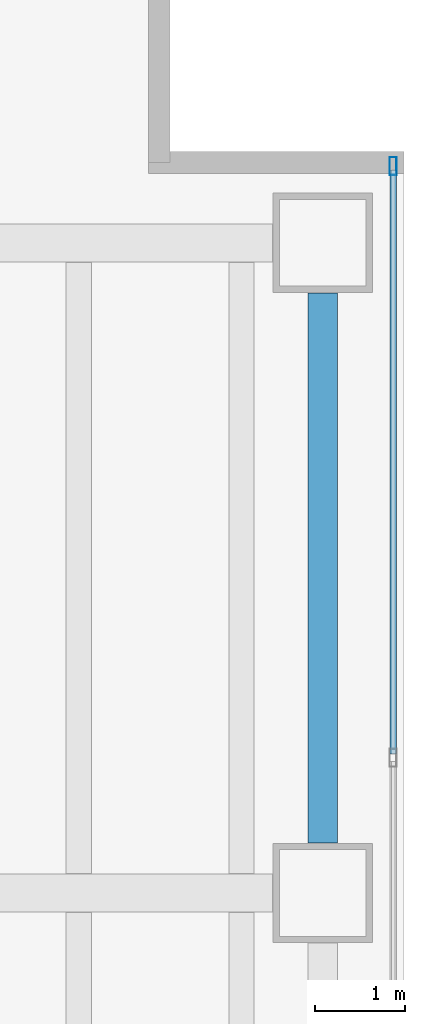
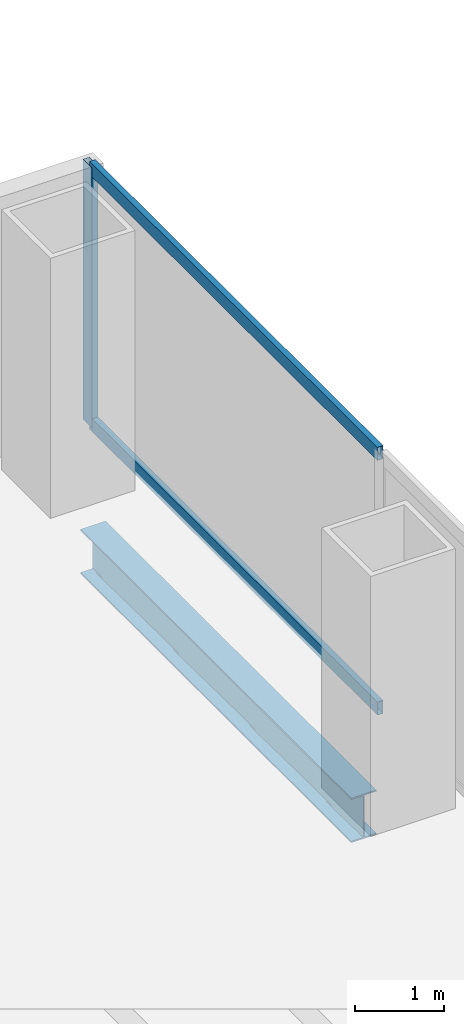
# One storey, part 13 of 23: 3 members, 1 beam, 1 element without a shape of its own.
"""IFC4 building model written with IfcOpenShell, lengths in metres."""

from ifc_helpers import new_model, si_unit, direction, frame, origin, origin_2d, place, context, subcontext, project, spatial, hollow_rectangle, i_section, extrude, material, material_profile, profile_set, type_object, element, aggregate, save


model = new_model("IFC4")

# Units and contexts
model_context = context("Model", 3, precision=1e-05, world=origin(), true_north=direction((0.0, 1.0)))
body_context = subcontext(model_context, "Body", "Model", "MODEL_VIEW")
ifc_project = project(units=[si_unit("LENGTHUNIT", "METRE"), si_unit("AREAUNIT", "SQUARE_METRE"), si_unit("VOLUMEUNIT", "CUBIC_METRE"), si_unit("PLANEANGLEUNIT", "RADIAN"), si_unit("MASSUNIT", "GRAM", prefix="KILO")], contexts=[model_context])

# Site, building, storey
site_placement = place(None, origin())
site = spatial("IfcSite", under=ifc_project, at=site_placement, CompositionType="ELEMENT")
building_placement = place(site_placement, origin())
building = spatial("IfcBuilding", under=site, at=building_placement, Name="Cobrela Telecom Tower", CompositionType="ELEMENT")
storey_placement = place(building_placement, frame((0.0, 0.0, 38.85009765625)))
storey = spatial("IfcBuildingStorey", under=building, at=storey_placement, Name="L09", CompositionType="ELEMENT", Elevation=38.85009765625)

# Beam
ifc_material_1 = material(Name="Steel ASTM A992 Grade 50", Category="steel")
ifc_material_profile_1 = material_profile(ifc_material_1, i_section(OverallWidth=0.324951171875, OverallDepth=0.612060546875, WebThickness=0.0126953125, FlangeThickness=0.01904296875, FilletRadius=0.014892578125, at=origin_2d()), Name="W24X104")
ifc_profile_set_1 = profile_set([ifc_material_profile_1], Name="Steel ASTM A992 Grade 50")
beam_type = type_object("IfcBeamType", Name="BM-SPAND-02", PredefinedType="SPANDREL", material=ifc_profile_set_1)
beam_placement = place(storey_placement, frame((49.5, 14.955078125, -0.586181640625), z_axis=(0.0, 1.0, 0.0), x_axis=(-1.0, 0.0, 0.0)))
element("IfcBeam", 1, at=beam_placement, inside=storey, type_object=beam_type, Name="L09 Perimeter Spandrel Y57", PredefinedType="SPANDREL", context=body_context, shape_type="SweptSolid", body=[
    extrude(i_section(OverallWidth=0.324951171875, OverallDepth=0.612060546875, WebThickness=0.0126953125, FlangeThickness=0.01904296875, FilletRadius=0.014892578125, at=origin_2d()), origin(), (0.0, 0.0, 1.0), 6.08984375),
])

# Curtain wall, members
ifc_material_2 = material(Name="Anodized Bronze Aluminium 6063-T6", Category="aluminium")
curtain_wall_type = type_object("IfcCurtainWallType", Name="CW-SYS-DATA", PredefinedType="USERDEFINED", material=ifc_material_2)
curtain_wall_placement = place(storey_placement, origin())
curtain_wall = element("IfcCurtainWall", 2, at=curtain_wall_placement, inside=storey, type_object=curtain_wall_type, Name="L09 Unitised Bronze Curtain Wall 14", ObjectType="UNITISED CURTAIN WALL", PredefinedType="USERDEFINED")
ifc_material_profile_2 = material_profile(ifc_material_2, hollow_rectangle(XDim=0.080078125, YDim=0.199951171875, WallThickness=0.00390625, at=origin_2d()), Name="ALU 80x200x4")
ifc_profile_set_2 = profile_set([ifc_material_profile_2], Name="Anodized Bronze Aluminium 6063-T6")
member_type_1 = type_object("IfcMemberType", Name="CW-SYS-DATA-MUL", PredefinedType="MULLION", material=ifc_profile_set_2)
member_1_placement = place(storey_placement, frame((50.280029296875, 22.449951171875, 0.0), z_axis=(0.0, 0.0, 1.0), x_axis=(1.0, 0.0, 0.0)))
member_1 = element("IfcMember", 3, at=member_1_placement, type_object=member_type_1, Name="CW-DATA mullion 1", PredefinedType="MULLION", context=body_context, shape_type="SweptSolid", body=[
    extrude(hollow_rectangle(XDim=0.080078125, YDim=0.199951171875, WallThickness=0.00390625, at=origin_2d()), origin(), (0.0, 0.0, 1.0), 3.56982421875),
])
ifc_material_profile_3 = material_profile(ifc_material_2, hollow_rectangle(XDim=0.074951171875, YDim=0.179931640625, WallThickness=0.00390625, at=origin_2d()), Name="ALU 75x180x4")
ifc_profile_set_3 = profile_set([ifc_material_profile_3], Name="Anodized Bronze Aluminium 6063-T6")
member_type_2 = type_object("IfcMemberType", Name="CW-SYS-DATA-TRN", PredefinedType="USERDEFINED", material=ifc_profile_set_3)
member_2_placement = place(storey_placement, frame((50.280029296875, 22.409912109375, 0.037353515625), z_axis=(0.0, -1.0, 0.0), x_axis=(1.0, 0.0, 0.0)))
member_2 = element("IfcMember", 4, at=member_2_placement, type_object=member_type_2, Name="CW-DATA transom 1.1", ObjectType="TRANSOM", PredefinedType="USERDEFINED", context=body_context, shape_type="SweptSolid", body=[
    extrude(hollow_rectangle(XDim=0.074951171875, YDim=0.179931640625, WallThickness=0.00390625, at=origin_2d()), origin(), (0.0, 0.0, 1.0), 6.47314453125),
])
member_3_placement = place(storey_placement, frame((50.280029296875, 22.409912109375, 3.532470703125), z_axis=(0.0, -1.0, 0.0), x_axis=(1.0, 0.0, 0.0)))
member_3 = element("IfcMember", 5, at=member_3_placement, type_object=member_type_2, Name="CW-DATA transom 1.2", ObjectType="TRANSOM", PredefinedType="USERDEFINED", context=body_context, shape_type="SweptSolid", body=[
    extrude(hollow_rectangle(XDim=0.074951171875, YDim=0.179931640625, WallThickness=0.00390625, at=origin_2d()), origin(), (0.0, 0.0, 1.0), 6.47314453125),
])
aggregate(curtain_wall, [member_1, member_2, member_3])

save(model, "model.ifc")
